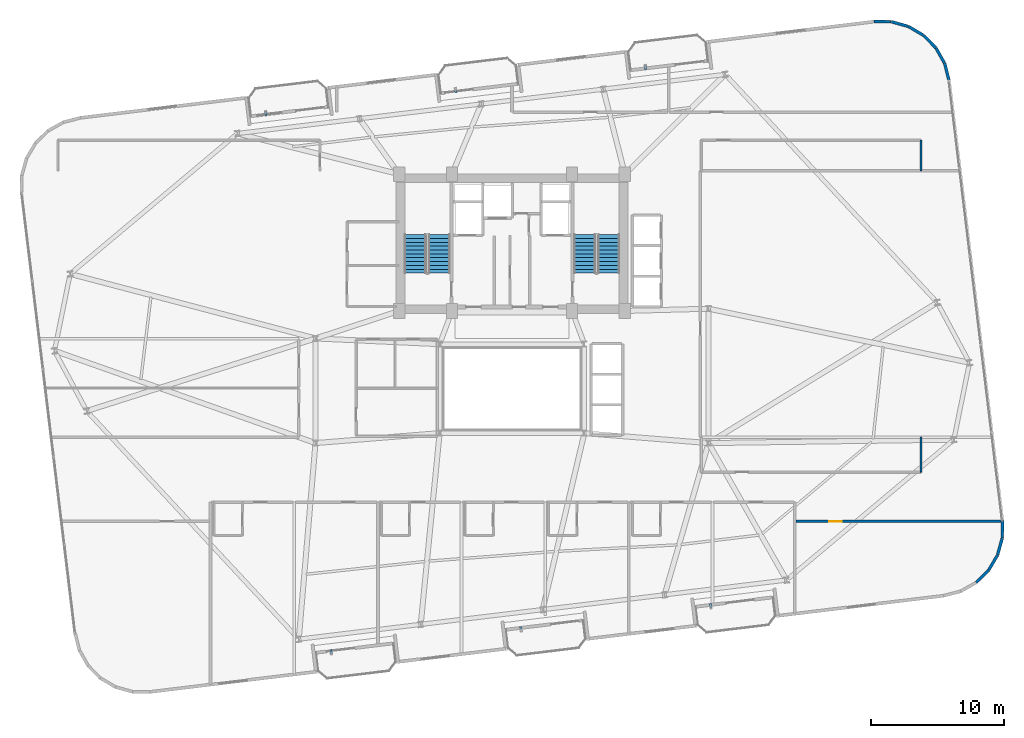
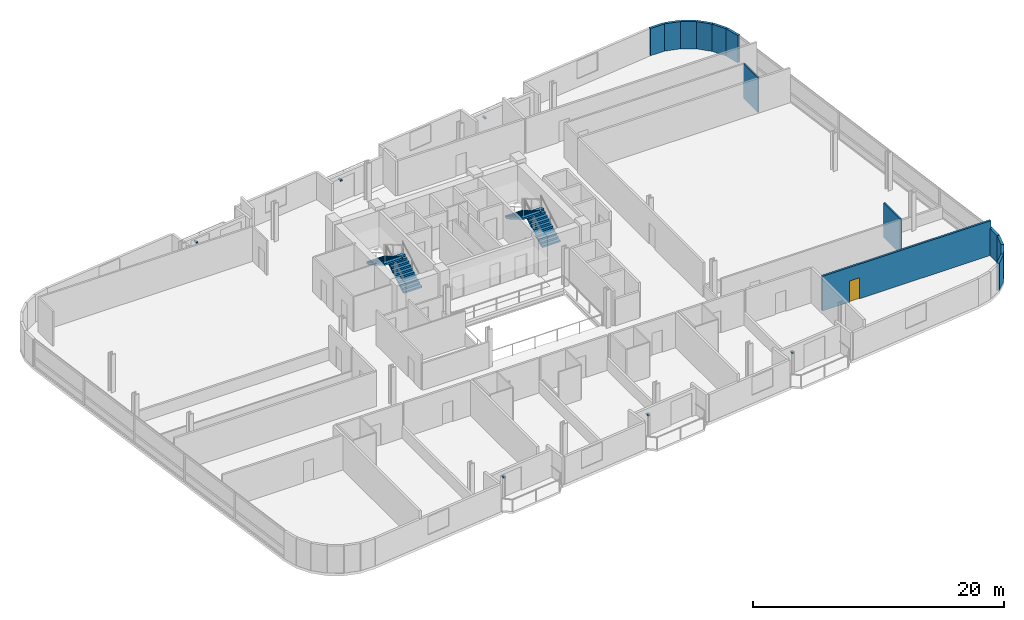
# One storey, part 18 of 22: 13 walls, 6 discrete accessories, 4 stair flights, 1 door, 1 opening, 2 elements without a shape of their own.
"""IFC4 building model written with IfcOpenShell, lengths in metres."""

from ifc_helpers import new_model, si_unit, direction, frame, frame_2d, origin, origin_2d, place, context, subcontext, project, spatial, polyline, rectangle, outline, extrude, source, transform, mapped, material, layer, layer_set, type_object, element, fill, aggregate, save


model = new_model("IFC4")

# Units and contexts
model_context = context("Model", 3, precision=1e-05, world=origin(), true_north=direction((0.0, 1.0)))
body_context = subcontext(model_context, "Body", "Model", "MODEL_VIEW")
ifc_project = project(units=[si_unit("LENGTHUNIT", "METRE"), si_unit("AREAUNIT", "SQUARE_METRE"), si_unit("VOLUMEUNIT", "CUBIC_METRE"), si_unit("PLANEANGLEUNIT", "RADIAN"), si_unit("MASSUNIT", "GRAM", prefix="KILO")], contexts=[model_context])

# Site, building, storey
site_placement = place(None, origin())
site = spatial("IfcSite", under=ifc_project, at=site_placement, CompositionType="ELEMENT")
building_placement = place(site_placement, origin())
building = spatial("IfcBuilding", under=site, at=building_placement, Name="Varnelok Gate Tower", CompositionType="ELEMENT")
storey_placement = place(building_placement, frame((0.0, 0.0, 204.199951171875)))
storey = spatial("IfcBuildingStorey", under=building, at=storey_placement, Name="L52", CompositionType="ELEMENT", Elevation=204.199951171875)

# Walls
ifc_material_1 = material(Name="Concrete C45/55", Category="concrete")
ifc_layer_1 = layer(ifc_material_1, 0.219970703125)
ifc_layer_set_1 = layer_set([ifc_layer_1], Name="Concrete C45/55")
wall_type_1 = type_object("IfcWallType", Name="EW-BALC-220", PredefinedType="SOLIDWALL", material=ifc_layer_set_1)
for number, where, z_axis, x_axis, name in (
    (1, (74.1591796875, 8.30029296875, 0.0), (0.0, 0.0, 1.0), (0.714295394827, 0.699844331926, 0.0), "L52 Perimeter Facade Closure Wall 19"),
    (2, (75.101318359375, 9.232177734375, 0.0), (0.0, 0.0, 1.0), (0.508798863936, 0.860885425627, 0.0), "L52 Perimeter Facade Closure Wall 20"),
    (3, (75.77001953125, 10.376220703125, 0.0), (0.0, 0.0, 1.0), (0.26859243053, 0.963253915778, 0.0), "L52 Perimeter Facade Closure Wall 21"),
):
    element("IfcWall", number, at=place(storey_placement, frame(where, z_axis=z_axis, x_axis=x_axis)), inside=storey, type_object=wall_type_1, Name=name, PredefinedType="SOLIDWALL", context=body_context, shape_type="SweptSolid", body=[
        extrude(rectangle(XDim=1.30078125, YDim=0.219970703125, at=frame_2d((0.650390625, 0.0))), origin(), (0.0, 0.0, 1.0), 2.66015625),
    ])
wall_1_placement = place(storey_placement, frame((76.11962890625, 11.654052734375, 0.0), z_axis=(0.0, 0.0, 1.0), x_axis=(0.01032033607, 0.999946743914, 0.0)))
element("IfcWall", 4, at=wall_1_placement, inside=storey, type_object=wall_type_1, Name="L52 Perimeter Facade Closure Wall 22", PredefinedType="SOLIDWALL", context=body_context, shape_type="SweptSolid", body=[
    extrude(rectangle(XDim=1.301025390625, YDim=0.219970703125, at=frame_2d((0.650390625, 0.0))), origin(), (0.0, 0.0, 1.0), 2.66015625),
])
wall_2_placement = place(storey_placement, frame((72.113525390625, 46.1123046875, 0.0), z_axis=(0.0, 0.0, 1.0), x_axis=(-0.248942347653, 0.968518305219, 0.0)))
element("IfcWall", 5, at=wall_2_placement, inside=storey, type_object=wall_type_1, Name="L52 Perimeter Facade Closure Wall 23", PredefinedType="SOLIDWALL", context=body_context, shape_type="SweptSolid", body=[
    extrude(rectangle(XDim=1.325927734375, YDim=0.219970703125, at=frame_2d((0.6630859375, 0.0))), origin(), (0.0, 0.0, 1.0), 2.66015625),
])
wall_3_placement = place(storey_placement, frame((71.771240234375, 47.418212890625, 0.0), z_axis=(0.0, 0.0, 1.0), x_axis=(-0.491098509465, 0.871104043155, 0.0)))
element("IfcWall", 6, at=wall_3_placement, inside=storey, type_object=wall_type_1, Name="L52 Perimeter Facade Closure Wall 24", PredefinedType="SOLIDWALL", context=body_context, shape_type="SweptSolid", body=[
    extrude(rectangle(XDim=1.301025390625, YDim=0.219970703125, at=frame_2d((0.650390625, 0.0))), origin(), (0.0, 0.0, 1.0), 2.66015625),
])
wall_4_placement = place(storey_placement, frame((71.114990234375, 48.5693359375, 0.0), z_axis=(0.0, 0.0, 1.0), x_axis=(-0.699844331926, 0.714295394827, 0.0)))
element("IfcWall", 7, at=wall_4_placement, inside=storey, type_object=wall_type_1, Name="L52 Perimeter Facade Closure Wall 25", PredefinedType="SOLIDWALL", context=body_context, shape_type="SweptSolid", body=[
    extrude(rectangle(XDim=1.30078125, YDim=0.219970703125, at=frame_2d((0.650390625, 0.0))), origin(), (0.0, 0.0, 1.0), 2.66015625),
])
wall_5_placement = place(storey_placement, frame((70.18310546875, 49.51123046875, 0.0), z_axis=(0.0, 0.0, 1.0), x_axis=(-0.860933999601, 0.508716668029, 0.0)))
element("IfcWall", 8, at=wall_5_placement, inside=storey, type_object=wall_type_1, Name="L52 Perimeter Facade Closure Wall 26", PredefinedType="SOLIDWALL", context=body_context, shape_type="SweptSolid", body=[
    extrude(rectangle(XDim=1.301025390625, YDim=0.219970703125, at=frame_2d((0.650390625, 0.0))), origin(), (0.0, 0.0, 1.0), 2.66015625),
])
wall_6_placement = place(storey_placement, frame((69.0390625, 50.179931640625, 0.0), z_axis=(0.0, 0.0, 1.0), x_axis=(-0.963205341366, 0.26876657226, 0.0)))
element("IfcWall", 9, at=wall_6_placement, inside=storey, type_object=wall_type_1, Name="L52 Perimeter Facade Closure Wall 27", PredefinedType="SOLIDWALL", context=body_context, shape_type="SweptSolid", body=[
    extrude(rectangle(XDim=1.30078125, YDim=0.219970703125, at=frame_2d((0.650390625, 0.0))), origin(), (0.0, 0.0, 1.0), 2.66015625),
])
wall_7_placement = place(storey_placement, frame((67.760986328125, 50.52978515625, 0.0), z_axis=(0.0, 0.0, 1.0), x_axis=(-0.999947358106, 0.010260653861, 0.0)))
element("IfcWall", 10, at=wall_7_placement, inside=storey, type_object=wall_type_1, Name="L52 Perimeter Facade Closure Wall 28", PredefinedType="SOLIDWALL", context=body_context, shape_type="SweptSolid", body=[
    extrude(rectangle(XDim=1.30859375, YDim=0.219970703125, at=frame_2d((0.654296875, 0.0))), origin(), (0.0, 0.0, 1.0), 2.66015625),
])

# Wall, opening, door
ifc_material_2 = material(Name="Gypsum Plasterboard Acoustic Partition", Category="gypsum")
ifc_layer_2 = layer(ifc_material_2, 0.179931640625)
ifc_layer_set_2 = layer_set([ifc_layer_2], Name="Gypsum Plasterboard Acoustic Partition")
wall_type_2 = type_object("IfcWallType", Name="PW-CORR-180", PredefinedType="PARTITIONING", material=ifc_layer_set_2)
wall_8_placement = place(storey_placement, frame((60.580078125, 12.89990234375, 0.0), z_axis=(0.0, 0.0, 1.0), x_axis=(1.0, 0.0, 0.0)))
wall_8 = element("IfcWall", 11, at=wall_8_placement, inside=storey, type_object=wall_type_2, Name="Interior Partition", PredefinedType="PARTITIONING", context=body_context, shape_type="SweptSolid", body=[
    extrude(rectangle(XDim=15.532470703125, YDim=0.179931640625, at=frame_2d((7.76611328125, 0.0))), origin(), (0.0, 0.0, 1.0), 3.380126953125),
])
opening_placement = place(wall_8_placement, frame((2.4951171875, 0.0, 0.0)))
opening = element("IfcOpeningElement", 12, at=opening_placement, cuts=wall_8, Name="Opening D-I2", PredefinedType="OPENING", context=body_context, shape_type="SweptSolid", body=[
    extrude(rectangle(XDim=0.949951171875, YDim=2.050048828125, at=frame_2d((0.47509765625, 1.02490234375))), frame((0.0, 0.099853515625, 0.0), z_axis=(0.0, -1.0, 0.0), x_axis=(1.0, 0.0, 0.0)), (0.0, 0.0, 1.0), 0.199951171875),
])
ifc_material_3 = material(Name="Engineered Hardwood Timber", Category="wood")
door_type = type_object("IfcDoorType", Name="DR-INT-950", OperationType="NOTDEFINED", PredefinedType="DOOR", material=ifc_material_3)
door_placement = place(opening_placement, origin())
door = element("IfcDoor", 13, at=door_placement, inside=storey, type_object=door_type, Name="L52 Wellness Spa Lounge Door", OperationType="SINGLE_SWING_LEFT", OverallHeight=2.050048828125, OverallWidth=0.949951171875, PredefinedType="DOOR", context=body_context, shape_type="SweptSolid", body=[
    extrude(rectangle(XDim=0.949951171875, YDim=2.050048828125, at=frame_2d((0.47509765625, 1.02490234375))), frame((0.0, 0.02490234375, 0.0), z_axis=(0.0, -1.0, 0.0), x_axis=(1.0, 0.0, 0.0)), (0.0, 0.0, 1.0), 0.050048828125),
])
fill(opening, door)

# Walls
ifc_layer_3 = layer(ifc_material_2, 0.125)
ifc_layer_set_3 = layer_set([ifc_layer_3], Name="Gypsum Plasterboard Acoustic Partition")
wall_type_3 = type_object("IfcWallType", Name="PW-PART-125", PredefinedType="PARTITIONING", material=ifc_layer_set_3)
wall_9_placement = place(storey_placement, frame((70.0, 16.610107421875, 0.0), z_axis=(0.0, 0.0, 1.0), x_axis=(0.0, 1.0, 0.0)))
element("IfcWall", 14, at=wall_9_placement, inside=storey, type_object=wall_type_3, Name="Interior Partition", PredefinedType="PARTITIONING", context=body_context, shape_type="SweptSolid", body=[
    extrude(rectangle(XDim=2.6298828125, YDim=0.125, at=frame_2d((1.31494140625, 0.0))), origin(), (0.0, 0.0, 1.0), 3.380126953125),
])
wall_10_placement = place(storey_placement, frame((70.0, 39.300048828125, 0.0), z_axis=(0.0, 0.0, 1.0), x_axis=(0.0, 1.0, 0.0)))
element("IfcWall", 15, at=wall_10_placement, inside=storey, type_object=wall_type_3, Name="Interior Partition", PredefinedType="PARTITIONING", context=body_context, shape_type="SweptSolid", body=[
    extrude(rectangle(XDim=2.31005859375, YDim=0.125, at=frame_2d((1.155029296875, 0.0))), origin(), (0.0, 0.0, 1.0), 3.380126953125),
])

# Stair, stair flights
ifc_material_4 = material(Name="Concrete C50/60", Category="concrete")
stair_type = type_object("IfcStairType", Name="STR-CORE-1650", PredefinedType="HALF_TURN_STAIR", material=ifc_material_4)
stair_1_placement = place(storey_placement, origin())
stair_1 = element("IfcStair", 16, at=stair_1_placement, inside=storey, type_object=stair_type, Name="L52 Exit Stair ST-1", PredefinedType="HALF_TURN_STAIR")
stair_flight_type = type_object("IfcStairFlightType", Name="SFL-CORE-1650", PredefinedType="STRAIGHT", material=ifc_material_4)
stair_flight_1_placement = place(storey_placement, frame((33.72509765625, 31.60009765625, 0.0), z_axis=(0.0, 0.0, 1.0), x_axis=(0.0, 1.0, 0.0)))
stair_flight_1 = element("IfcStairFlight", 17, at=stair_flight_1_placement, type_object=stair_flight_type, Name="ST-1 flight 1", NumberOfRisers=11, NumberOfTreads=10, PredefinedType="STRAIGHT", RiserHeight=0.168181818, TreadLength=0.29, context=body_context, shape_type="SweptSolid", body=[
    extrude(outline(polyline([(0.0, 0.0), (0.0, 0.168212890625), (0.2900390625, 0.168212890625), (0.2900390625, 0.33642578125), (0.580078125, 0.33642578125), (0.580078125, 0.504638671875), (0.8701171875, 0.504638671875), (0.8701171875, 0.672607421875), (1.159912109375, 0.672607421875), (1.159912109375, 0.8408203125), (1.449951171875, 0.8408203125), (1.449951171875, 1.009033203125), (1.739990234375, 1.009033203125), (1.739990234375, 1.17724609375), (2.030029296875, 1.17724609375), (2.030029296875, 1.345458984375), (2.320068359375, 1.345458984375), (2.320068359375, 1.513671875), (2.610107421875, 1.513671875), (2.610107421875, 1.681884765625), (2.89990234375, 1.681884765625), (2.89990234375, 1.85009765625), (2.89990234375, 1.508544921875), (0.298828125, 0.0), (0.0, 0.0)])), frame((0.0, 0.824951171875, 0.0), z_axis=(0.0, -1.0, 0.0), x_axis=(1.0, 0.0, 0.0)), (0.0, 0.0, 1.0), 1.64990234375),
])
stair_flight_2_placement = place(storey_placement, frame((31.925048828125, 34.5, 1.85009765625), z_axis=(0.0, 0.0, 1.0), x_axis=(0.0, -1.0, 0.0)))
stair_flight_2 = element("IfcStairFlight", 18, at=stair_flight_2_placement, type_object=stair_flight_type, Name="ST-1 flight 2", NumberOfRisers=11, NumberOfTreads=10, PredefinedType="STRAIGHT", RiserHeight=0.168181818, TreadLength=0.29, context=body_context, shape_type="SweptSolid", body=[
    extrude(outline(polyline([(0.0, 0.0), (0.0, 0.168212890625), (0.2900390625, 0.168212890625), (0.2900390625, 0.33642578125), (0.580078125, 0.33642578125), (0.580078125, 0.504638671875), (0.8701171875, 0.504638671875), (0.8701171875, 0.672607421875), (1.159912109375, 0.672607421875), (1.159912109375, 0.8408203125), (1.449951171875, 0.8408203125), (1.449951171875, 1.009033203125), (1.739990234375, 1.009033203125), (1.739990234375, 1.17724609375), (2.030029296875, 1.17724609375), (2.030029296875, 1.345458984375), (2.320068359375, 1.345458984375), (2.320068359375, 1.513671875), (2.610107421875, 1.513671875), (2.610107421875, 1.681884765625), (2.89990234375, 1.681884765625), (2.89990234375, 1.85009765625), (2.89990234375, 1.508544921875), (0.298828125, 0.0), (0.0, 0.0)])), frame((0.0, 0.824951171875, 0.0), z_axis=(0.0, -1.0, 0.0), x_axis=(1.0, 0.0, 0.0)), (0.0, 0.0, 1.0), 1.64990234375),
])
aggregate(stair_1, [stair_flight_1, stair_flight_2])

stair_2_placement = place(storey_placement, origin())
stair_2 = element("IfcStair", 19, at=stair_2_placement, inside=storey, type_object=stair_type, Name="L52 Exit Stair ST-2", PredefinedType="HALF_TURN_STAIR")
stair_flight_3_placement = place(storey_placement, frame((46.47509765625, 31.60009765625, 0.0), z_axis=(0.0, 0.0, 1.0), x_axis=(0.0, 1.0, 0.0)))
stair_flight_3 = element("IfcStairFlight", 20, at=stair_flight_3_placement, type_object=stair_flight_type, Name="ST-2 flight 1", NumberOfRisers=11, NumberOfTreads=10, PredefinedType="STRAIGHT", RiserHeight=0.168181818, TreadLength=0.29, context=body_context, shape_type="SweptSolid", body=[
    extrude(outline(polyline([(0.0, 0.0), (0.0, 0.168212890625), (0.2900390625, 0.168212890625), (0.2900390625, 0.33642578125), (0.580078125, 0.33642578125), (0.580078125, 0.504638671875), (0.8701171875, 0.504638671875), (0.8701171875, 0.672607421875), (1.159912109375, 0.672607421875), (1.159912109375, 0.8408203125), (1.449951171875, 0.8408203125), (1.449951171875, 1.009033203125), (1.739990234375, 1.009033203125), (1.739990234375, 1.17724609375), (2.030029296875, 1.17724609375), (2.030029296875, 1.345458984375), (2.320068359375, 1.345458984375), (2.320068359375, 1.513671875), (2.610107421875, 1.513671875), (2.610107421875, 1.681884765625), (2.89990234375, 1.681884765625), (2.89990234375, 1.85009765625), (2.89990234375, 1.508544921875), (0.298828125, 0.0), (0.0, 0.0)])), frame((0.0, 0.824951171875, 0.0), z_axis=(0.0, -1.0, 0.0), x_axis=(1.0, 0.0, 0.0)), (0.0, 0.0, 1.0), 1.64990234375),
])
stair_flight_4_placement = place(storey_placement, frame((44.675048828125, 34.5, 1.85009765625), z_axis=(0.0, 0.0, 1.0), x_axis=(0.0, -1.0, 0.0)))
stair_flight_4 = element("IfcStairFlight", 21, at=stair_flight_4_placement, type_object=stair_flight_type, Name="ST-2 flight 2", NumberOfRisers=11, NumberOfTreads=10, PredefinedType="STRAIGHT", RiserHeight=0.168181818, TreadLength=0.29, context=body_context, shape_type="SweptSolid", body=[
    extrude(outline(polyline([(0.0, 0.0), (0.0, 0.168212890625), (0.2900390625, 0.168212890625), (0.2900390625, 0.33642578125), (0.580078125, 0.33642578125), (0.580078125, 0.504638671875), (0.8701171875, 0.504638671875), (0.8701171875, 0.672607421875), (1.159912109375, 0.672607421875), (1.159912109375, 0.8408203125), (1.449951171875, 0.8408203125), (1.449951171875, 1.009033203125), (1.739990234375, 1.009033203125), (1.739990234375, 1.17724609375), (2.030029296875, 1.17724609375), (2.030029296875, 1.345458984375), (2.320068359375, 1.345458984375), (2.320068359375, 1.513671875), (2.610107421875, 1.513671875), (2.610107421875, 1.681884765625), (2.89990234375, 1.681884765625), (2.89990234375, 1.85009765625), (2.89990234375, 1.508544921875), (0.298828125, 0.0), (0.0, 0.0)])), frame((0.0, 0.824951171875, 0.0), z_axis=(0.0, -1.0, 0.0), x_axis=(1.0, 0.0, 0.0)), (0.0, 0.0, 1.0), 1.64990234375),
])
aggregate(stair_2, [stair_flight_3, stair_flight_4])

# Discrete accessories
ifc_material_5 = material(Name="Structural Steel ASTM A500 Grade C", Category="steel")
discrete_accessory_type = type_object("IfcDiscreteAccessoryType", Name="ACC-BAGUETTE-BRK", PredefinedType="BRACKET", material=ifc_material_5)
shared_shape = source(origin(), body_context, "Body", "SweptSolid", [
    extrude(rectangle(XDim=0.159912109375, YDim=0.340087890625, at=origin_2d()), origin(), (0.0, 0.0, 1.0), 0.139892578125),
])
for number, where, z_axis, x_axis, name in (
    (22, (25.576416015625, 3.06884765625, 1.97998046875), (0.0, 0.0, 1.0), (0.992732158755, 0.12034475881, 0.0), "L52 Terracotta Baguette Bracket 1.1"),
    (23, (39.87158203125, 4.802001953125, 1.97998046875), (0.0, 0.0, 1.0), (0.992732158755, 0.12034475881, 0.0), "L52 Terracotta Baguette Bracket 2.1"),
    (24, (54.1669921875, 6.534912109375, 1.97998046875), (0.0, 0.0, 1.0), (0.992732158755, 0.12034475881, 0.0), "L52 Terracotta Baguette Bracket 3.1"),
    (25, (20.6591796875, 43.6318359375, 1.97998046875), (0.0, 0.0, 1.0), (0.992732158755, 0.12034475881, 0.0), "L52 Terracotta Baguette Bracket 4.1"),
    (26, (34.954345703125, 45.364990234375, 1.97998046875), (0.0, 0.0, 1.0), (0.992732158755, 0.12034475881, 0.0), "L52 Terracotta Baguette Bracket 5.1"),
    (27, (49.249755859375, 47.097900390625, 1.97998046875), (0.0, 0.0, 1.0), (0.992732158755, 0.12034475881, 0.0), "L52 Terracotta Baguette Bracket 6.1"),
):
    element("IfcDiscreteAccessory", number, at=place(storey_placement, frame(where, z_axis=z_axis, x_axis=x_axis)), inside=storey, type_object=discrete_accessory_type, Name=name, PredefinedType="BRACKET", context=body_context, shape_type="MappedRepresentation", body=[
        mapped(shared_shape, transform((0.0, 0.0, 0.0), scale=1.0)),
    ])

save(model, "model.ifc")
